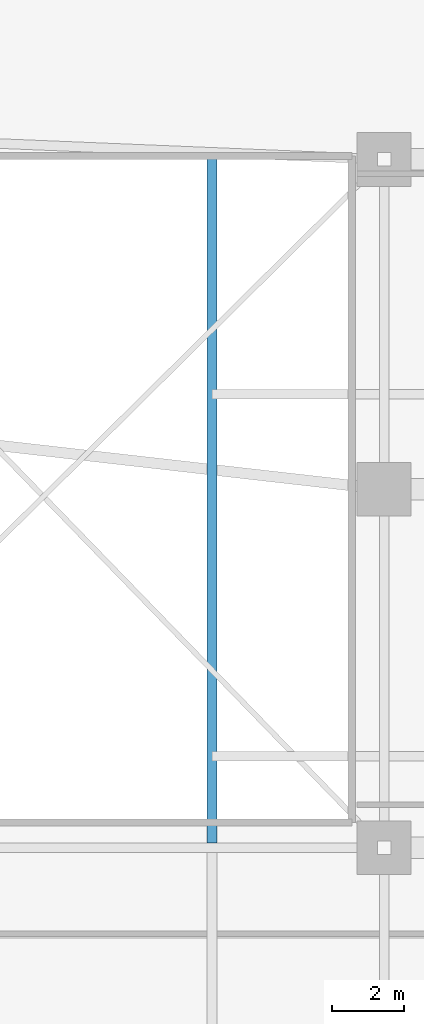
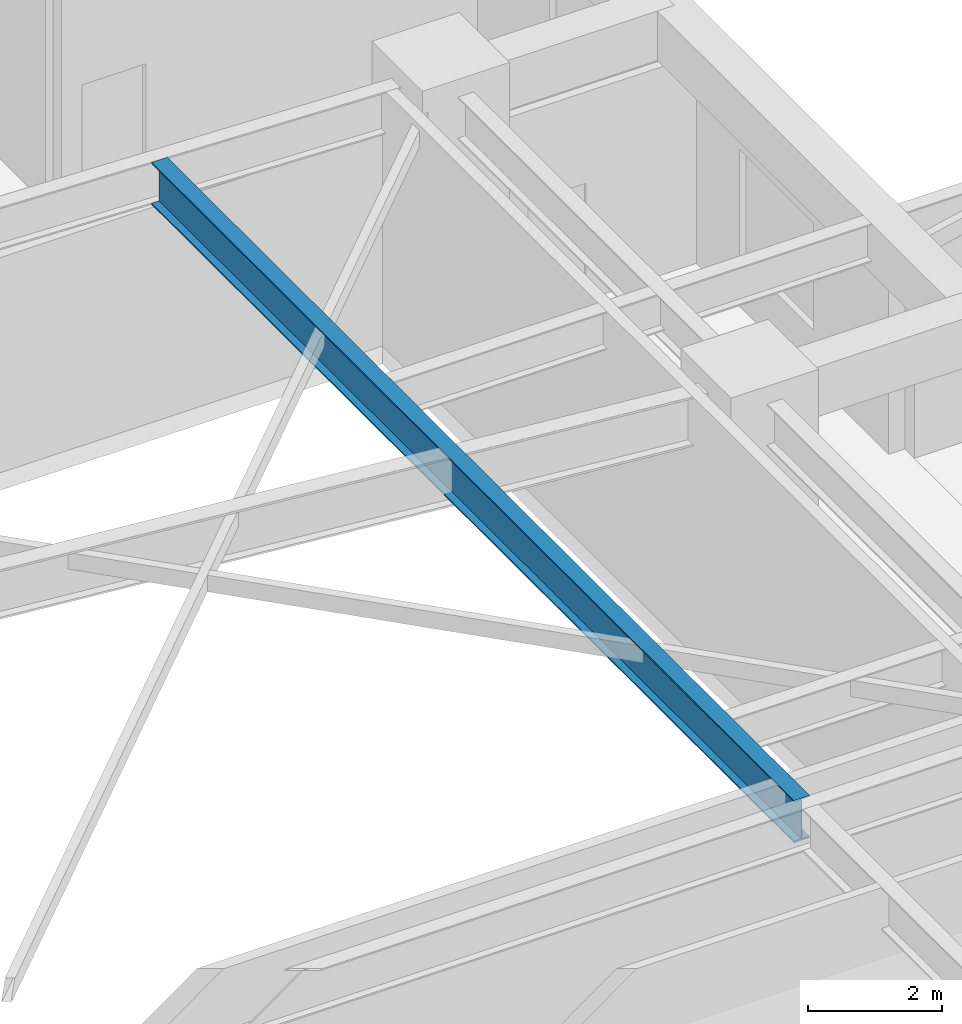
# One storey, part 13 of 26: 1 beam.
"""IFC4 building model written with IfcOpenShell, lengths in metres."""

import ifcopenshell
import ifcopenshell.guid

model = None  # the IFC model being written
_history = None  # IfcOwnerHistory: only IFC2X3 demands one
_inside = {}  # id of a spatial element -> (the spatial element, [elements in it])
_under = {}  # id of a project, library or spatial element -> (it, [spatial elements below it])
_declared = {}  # id of a project -> (the project, [libraries it declares])
_typed = {}  # id of a type object -> (the type object, [elements of that type])
_made_of = {}  # id of a material, layer set ... -> (it, [elements and type objects made of it])


def new_model(schema):
    """Start an empty IFC model of exactly this schema.

    Asked for "IFC4X3", IfcOpenShell would pick the latest addendum, in which some entities
    have other attributes; the version numbers below select the first issue.
    IFC2X3 requires an IfcOwnerHistory on every rooted entity: one is made here for all.
    """
    global model, _history
    if schema == "IFC4X3":
        model = ifcopenshell.file(schema_version=(4, 3, 0, 0))
    else:
        model = ifcopenshell.file(schema=schema)
    _inside.clear()
    _under.clear()
    _declared.clear()
    _typed.clear()
    _made_of.clear()
    _history = None
    if model.schema == "IFC2X3":
        org = make("IfcOrganization", Name="unknown")
        user = make(
            "IfcPersonAndOrganization",
            ThePerson=make("IfcPerson", FamilyName="unknown"),
            TheOrganization=org,
        )
        app = make(
            "IfcApplication",
            ApplicationDeveloper=org,
            Version="unknown",
            ApplicationFullName="unknown",
            ApplicationIdentifier="unknown",
        )
        _history = make(
            "IfcOwnerHistory",
            OwningUser=user,
            OwningApplication=app,
            ChangeAction="ADDED",
            CreationDate=0,
        )
    return model


def make(cls, **values):
    """One entity of the class cls with the attributes given. An attribute that is None is left unset."""
    return model.create_entity(
        cls, **{name: value for name, value in values.items() if value is not None}
    )


def rooted(cls, **values):
    """An entity with a GlobalId (a new one), such as an element, a storey or a relation."""
    return make(cls, GlobalId=ifcopenshell.guid.new(), OwnerHistory=_history, **values)


def si_unit(unit_type, name, prefix=None):
    """IfcSIUnit, for example si_unit("LENGTHUNIT", "METRE", prefix="MILLI")."""
    return make("IfcSIUnit", UnitType=unit_type, Prefix=prefix, Name=name)


def assignment(units):
    """IfcUnitAssignment: the units of a project."""
    return None if units is None else make("IfcUnitAssignment", Units=units)


def point(xyz):
    """IfcCartesianPoint."""
    return None if xyz is None else make("IfcCartesianPoint", Coordinates=xyz)


def direction(xyz):
    """IfcDirection."""
    return None if xyz is None else make("IfcDirection", DirectionRatios=xyz)


def frame(location, z_axis=None, x_axis=None):
    """IfcAxis2Placement3D, a coordinate frame: its origin and axes. An axis left out is left unset."""
    return make(
        "IfcAxis2Placement3D",
        Location=point(location),
        Axis=direction(z_axis),
        RefDirection=direction(x_axis),
    )


def frame_2d(location, x_axis=None):
    """IfcAxis2Placement2D, a coordinate frame in the plane: its origin and x axis."""
    return make(
        "IfcAxis2Placement2D", Location=point(location), RefDirection=direction(x_axis)
    )


def origin():
    """The frame at (0, 0, 0) with its axes left unset."""
    return frame((0.0, 0.0, 0.0))


def origin_2d():
    """The frame at (0, 0) in the plane with its x axis left unset."""
    return frame_2d((0.0, 0.0))


def place(relative_to, where):
    """IfcLocalPlacement: puts the frame where relative to a parent placement (None: the world)."""
    return make(
        "IfcLocalPlacement", PlacementRelTo=relative_to, RelativePlacement=where
    )


def context(
    kind, dimensions, precision=None, world=None, true_north=None, identifier=None
):
    """IfcGeometricRepresentationContext, for example the 3D "Model" context."""
    return make(
        "IfcGeometricRepresentationContext",
        ContextIdentifier=identifier,
        ContextType=kind,
        CoordinateSpaceDimension=dimensions,
        Precision=precision,
        WorldCoordinateSystem=world,
        TrueNorth=true_north,
    )


def subcontext(parent, identifier, kind, view, scale=None):
    """IfcGeometricRepresentationSubContext, for example "Body" below "Model"."""
    return make(
        "IfcGeometricRepresentationSubContext",
        ContextIdentifier=identifier,
        ContextType=kind,
        ParentContext=parent,
        TargetScale=scale,
        TargetView=view,
    )


def project(units=None, contexts=None):
    """IfcProject with its units and contexts."""
    return rooted(
        "IfcProject",
        Name="project",
        RepresentationContexts=contexts,
        UnitsInContext=assignment(units),
    )


def spatial(cls, under=None, at=None, **own):
    """A site, building, storey or space (cls), placed at a placement, below another one or the project."""
    s = rooted(cls, ObjectPlacement=at, **own)
    if under is not None:
        _under.setdefault(under.id(), (under, []))[1].append(s)
    return s


def profile(cls, at=None, kind="AREA", **sizes):
    """A parametric profile (cls). Its sizes go by their IFC names, for example OverallWidth=200.0."""
    return make(cls, ProfileType=kind, Position=at, **sizes)


def i_section(**sizes):
    """IfcIShapeProfileDef."""
    return profile("IfcIShapeProfileDef", **sizes)


def extrude(swept, where, along, depth):
    """IfcExtrudedAreaSolid: the profile swept, set in the frame where, extruded along a direction by depth."""
    return make(
        "IfcExtrudedAreaSolid",
        SweptArea=swept,
        Position=where,
        ExtrudedDirection=direction(along),
        Depth=depth,
    )


def shape(context_of_items, identifier, shape_type, items):
    """IfcShapeRepresentation: the items that make up one representation, for example the "Body"."""
    return make(
        "IfcShapeRepresentation",
        ContextOfItems=context_of_items,
        RepresentationIdentifier=identifier,
        RepresentationType=shape_type,
        Items=items,
    )


def material(Name=None, Category=None):
    """IfcMaterial."""
    return make("IfcMaterial", Name=Name, Category=Category)


def material_profile(
    of_material, cross_section, Name=None, Category=None, Priority=None
):
    """IfcMaterialProfile: a cross section and its material."""
    return make(
        "IfcMaterialProfile",
        Name=Name,
        Material=of_material,
        Profile=cross_section,
        Priority=Priority,
        Category=Category,
    )


def profile_set(profiles, Name=None, composite=None):
    """IfcMaterialProfileSet."""
    return make(
        "IfcMaterialProfileSet",
        Name=Name,
        MaterialProfiles=profiles,
        CompositeProfile=composite,
    )


def made_of(thing, what):
    """Note that an element or type object is made of a material, layer set ...; save() writes the relation."""
    if what is not None:
        _made_of.setdefault(what.id(), (what, []))[1].append(thing)
    return thing


def type_object(cls, material=None, **own):
    """A type object (cls), such as IfcWallType, which elements share."""
    return made_of(rooted(cls, **own), material)


def element(
    cls,
    number,
    at=None,
    inside=None,
    cuts=None,
    type_object=None,
    material=None,
    context=None,
    identifier="Body",
    shape_type=None,
    held_by="IfcProductDefinitionShape",
    body=None,
    shapes=None,
    **own,
):
    """One element of the class cls, such as IfcWall. Its Tag is "e" and its number.

    at: its placement. inside: the storey or other place that contains it. cuts: it is an
    opening in that element (IfcRelVoidsElement). A single representation is given by context,
    identifier, shape_type and body (its items); several are given by shapes. held_by: the class
    of the entity that holds the representations. save() writes the other relations.
    """
    e = rooted(cls, Tag="e%d" % number, ObjectPlacement=at, **own)
    if body is not None:
        shapes = [shape(context, identifier, shape_type, body)]
    if shapes is not None:
        e.Representation = make(held_by, Representations=shapes)
    if inside is not None:
        _inside.setdefault(inside.id(), (inside, []))[1].append(e)
    if cuts is not None:
        rooted(
            "IfcRelVoidsElement", RelatingBuildingElement=cuts, RelatedOpeningElement=e
        )
    if type_object is not None:
        _typed.setdefault(type_object.id(), (type_object, []))[1].append(e)
    return made_of(e, material)


def aggregate(whole, parts):
    """IfcRelAggregates: a whole, such as a stair, and the parts it consists of."""
    return rooted("IfcRelAggregates", RelatingObject=whole, RelatedObjects=parts)


def save(model, path):
    """Write the relations noted so far, then the file.

    IfcRelAggregates (storeys below a building ...), IfcRelContainedInSpatialStructure (elements
    in a storey), IfcRelDefinesByType, IfcRelAssociatesMaterial and IfcRelDeclares: one each for
    every whole, place, type object, material and project.
    """
    for whole, parts in _under.values():
        aggregate(whole, parts)
    for where, things in _inside.values():
        rooted(
            "IfcRelContainedInSpatialStructure",
            RelatedElements=things,
            RelatingStructure=where,
        )
    for kind, things in _typed.values():
        rooted("IfcRelDefinesByType", RelatedObjects=things, RelatingType=kind)
    for what, things in _made_of.values():
        rooted("IfcRelAssociatesMaterial", RelatedObjects=things, RelatingMaterial=what)
    for by, libraries in _declared.values():
        rooted("IfcRelDeclares", RelatingContext=by, RelatedDefinitions=libraries)
    model.write(path)


model = new_model("IFC4")

# Units and contexts
model_context = context("Model", 3, precision=1e-05, world=origin(), true_north=direction((0.0, 1.0)))
body_context = subcontext(model_context, "Body", "Model", "MODEL_VIEW")
ifc_project = project(units=[si_unit("LENGTHUNIT", "METRE"), si_unit("AREAUNIT", "SQUARE_METRE"), si_unit("VOLUMEUNIT", "CUBIC_METRE"), si_unit("PLANEANGLEUNIT", "RADIAN"), si_unit("MASSUNIT", "GRAM", prefix="KILO")], contexts=[model_context])

# Site, building, storey
site_placement = place(None, origin())
site = spatial("IfcSite", under=ifc_project, at=site_placement, CompositionType="ELEMENT")
building_placement = place(site_placement, origin())
building = spatial("IfcBuilding", under=site, at=building_placement, Name="Zulverin Broadcast Headquarters", CompositionType="ELEMENT")
storey_placement = place(building_placement, frame((0.0, 0.0, 15.0)))
storey = spatial("IfcBuildingStorey", under=building, at=storey_placement, Name="L03", CompositionType="ELEMENT", Elevation=15.0)

# Beam
ifc_material = material(Name="Structural steel S355JR", Category="steel")
ifc_material_profile = material_profile(ifc_material, i_section(OverallWidth=0.26806640625, OverallDepth=0.769775390625, WebThickness=0.015625, FlangeThickness=0.025390625, at=origin_2d()), Name="Structural steel S355JR", Category="steel")
ifc_profile_set = profile_set([ifc_material_profile], Name="Structural steel S355JR")
beam_type = type_object("IfcBeamType", Name="BM-UB-762", PredefinedType="BEAM", material=ifc_profile_set)
beam_placement = place(storey_placement, frame((64.800048828125, 15.333984375, 4.295166015625), z_axis=(0.0, 1.0, 0.0), x_axis=(-1.0, 0.0, 0.0)))
element("IfcBeam", 1, at=beam_placement, inside=storey, type_object=beam_type, Name="L03 East Back-Span Anchor Beam ESBA-2", PredefinedType="BEAM", context=body_context, shape_type="SweptSolid", body=[
    extrude(i_section(OverallWidth=0.26806640625, OverallDepth=0.769775390625, WebThickness=0.015625, FlangeThickness=0.025390625, at=origin_2d()), origin(), (0.0, 0.0, 1.0), 19.1298828125),
])

save(model, "model.ifc")
